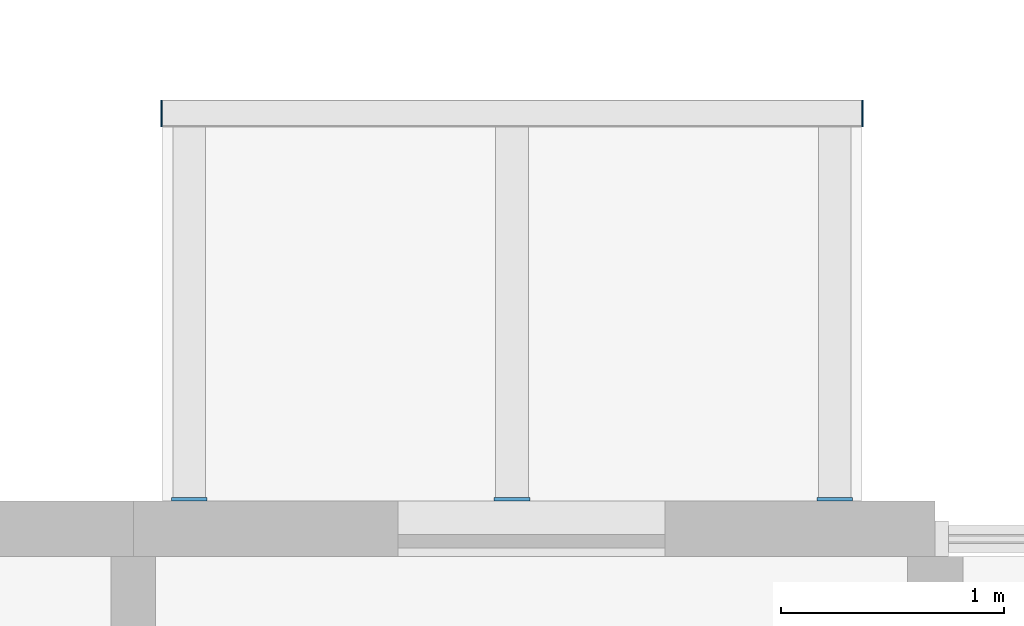
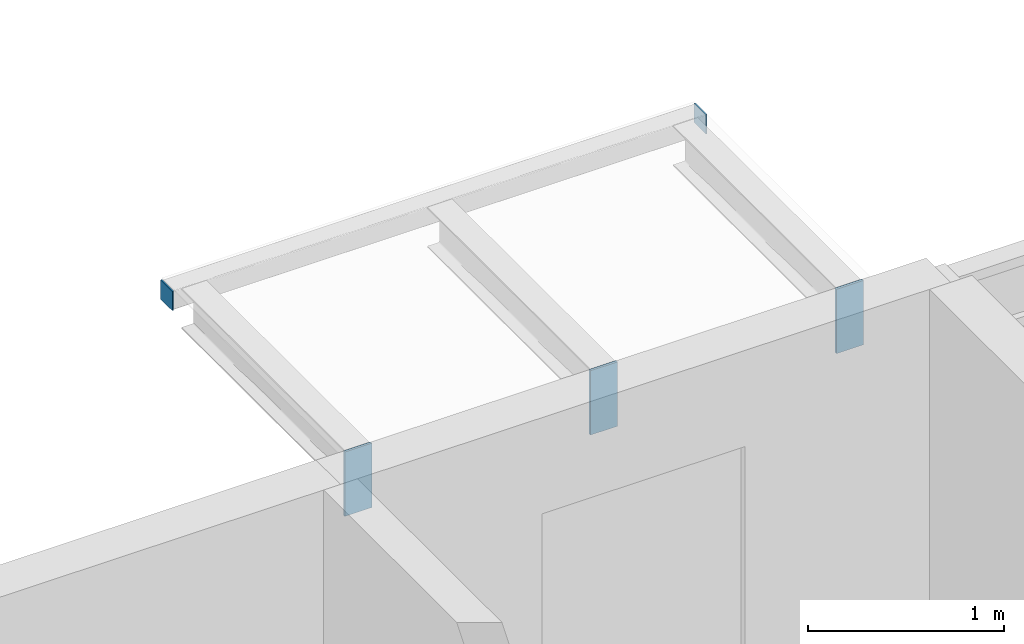
# One storey, part 56 of 78: 5 discrete accessories.
"""IFC4 building model written with IfcOpenShell, lengths in metres."""

from ifc_helpers import new_model, si_unit, direction, frame, origin, origin_2d, place, context, subcontext, project, spatial, rectangle, extrude, material, layer, layer_set, type_object, element, save


model = new_model("IFC4")

# Units and contexts
model_context = context("Model", 3, precision=1e-05, world=origin(), true_north=direction((0.0, 1.0)))
body_context = subcontext(model_context, "Body", "Model", "MODEL_VIEW")
ifc_project = project(units=[si_unit("LENGTHUNIT", "METRE"), si_unit("AREAUNIT", "SQUARE_METRE"), si_unit("VOLUMEUNIT", "CUBIC_METRE"), si_unit("PLANEANGLEUNIT", "RADIAN"), si_unit("MASSUNIT", "GRAM", prefix="KILO")], contexts=[model_context])

# Site, building, storey
site_placement = place(None, origin())
site = spatial("IfcSite", under=ifc_project, at=site_placement, CompositionType="ELEMENT")
building_placement = place(site_placement, origin())
building = spatial("IfcBuilding", under=site, at=building_placement, Name="Ridgestep Commons", CompositionType="ELEMENT")
storey_placement = place(building_placement, frame((0.0, 0.0, 30.0)))
storey = spatial("IfcBuildingStorey", under=building, at=storey_placement, Name="L10", CompositionType="ELEMENT", Elevation=30.0)

# Discrete accessories
ifc_material_1 = material(Name="Weathering steel S355J2W", Category="steel")
ifc_layer_1 = layer(ifc_material_1, 0.014892578125)
ifc_layer_set_1 = layer_set([ifc_layer_1], Name="Tray bracket plate 15")
discrete_accessory_type_1 = type_object("IfcDiscreteAccessoryType", Name="Tray bracket plate 15", PredefinedType="BRACKET", material=ifc_layer_set_1)
for number, where, z_axis, x_axis, name in (
    (1, (36.25, 23.007568359375, 2.588623046875), (0.0, 0.0, 1.0), (1.0, 0.0, 0.0), "Tray bracket A2T3-11.1"),
    (2, (37.699951171875, 23.007568359375, 2.588623046875), (0.0, 0.0, 1.0), (1.0, 0.0, 0.0), "Tray bracket A2T3-11.2"),
    (3, (39.14990234375, 23.007568359375, 2.588623046875), (0.0, 0.0, 1.0), (1.0, 0.0, 0.0), "Tray bracket A2T3-11.3"),
):
    element("IfcDiscreteAccessory", number, at=place(storey_placement, frame(where, z_axis=z_axis, x_axis=x_axis)), inside=storey, type_object=discrete_accessory_type_1, Name=name, PredefinedType="BRACKET", context=body_context, shape_type="SweptSolid", body=[
        extrude(rectangle(XDim=0.159912109375, YDim=0.014892578125, at=origin_2d()), origin(), (0.0, 0.0, 1.0), 0.4013671875),
    ])
ifc_material_2 = material(Name="Weathering steel S355J2W", Category="steel")
ifc_layer_2 = layer(ifc_material_2, 0.008056640625)
ifc_layer_set_2 = layer_set([ifc_layer_2], Name="Tray edge member end plate 120 x 120 x 8")
discrete_accessory_type_2 = type_object("IfcDiscreteAccessoryType", Name="Tray edge member end plate 120 x 120 x 8", PredefinedType="BRACKET", material=ifc_layer_set_2)
for number, where, z_axis, x_axis, name in (
    (4, (36.1259765625, 24.739990234375, 2.869873046875), (0.0, 0.0, 1.0), (1.0, 0.0, 0.0), "Tray edge member end plate A2T3-11 west"),
    (5, (39.27392578125, 24.739990234375, 2.869873046875), (0.0, 0.0, 1.0), (1.0, 0.0, 0.0), "Tray edge member end plate A2T3-11 east"),
):
    element("IfcDiscreteAccessory", number, at=place(storey_placement, frame(where, z_axis=z_axis, x_axis=x_axis)), inside=storey, type_object=discrete_accessory_type_2, Name=name, PredefinedType="BRACKET", context=body_context, shape_type="SweptSolid", body=[
        extrude(rectangle(XDim=0.008056640625, YDim=0.1201171875, at=origin_2d()), origin(), (0.0, 0.0, 1.0), 0.1201171875),
    ])

save(model, "model.ifc")
